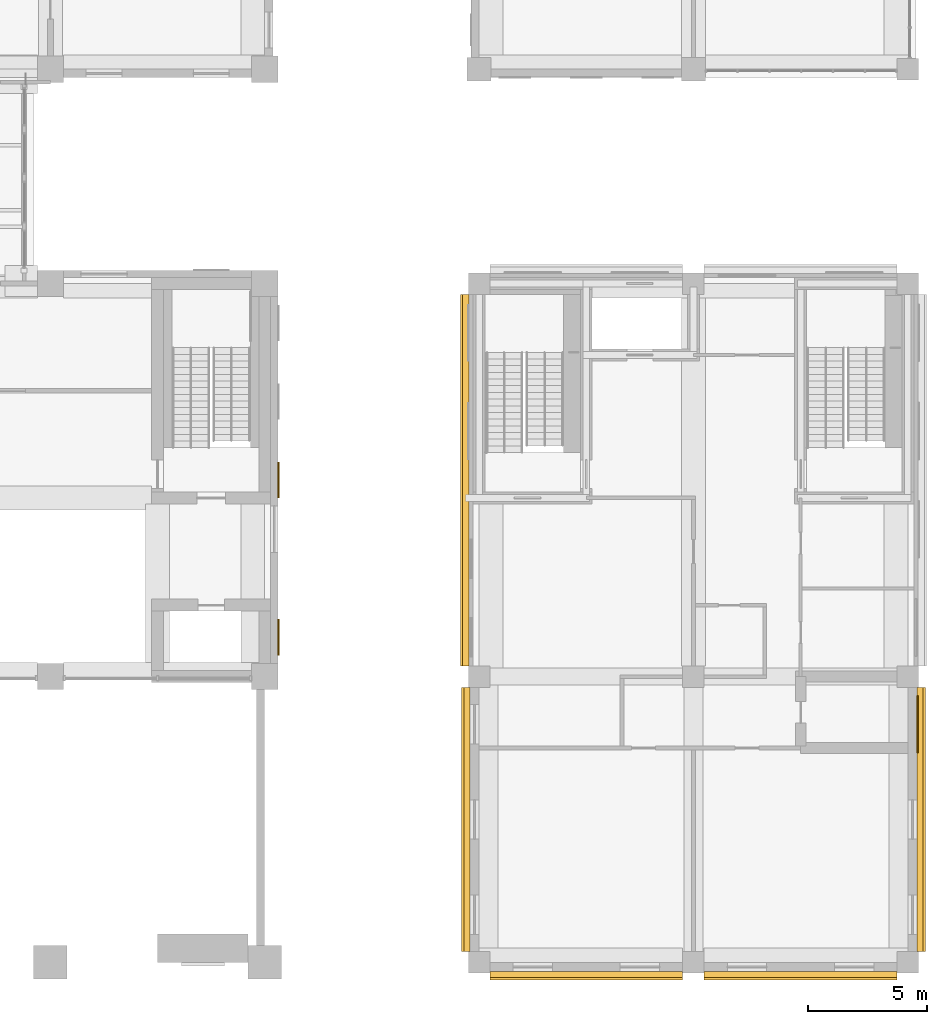
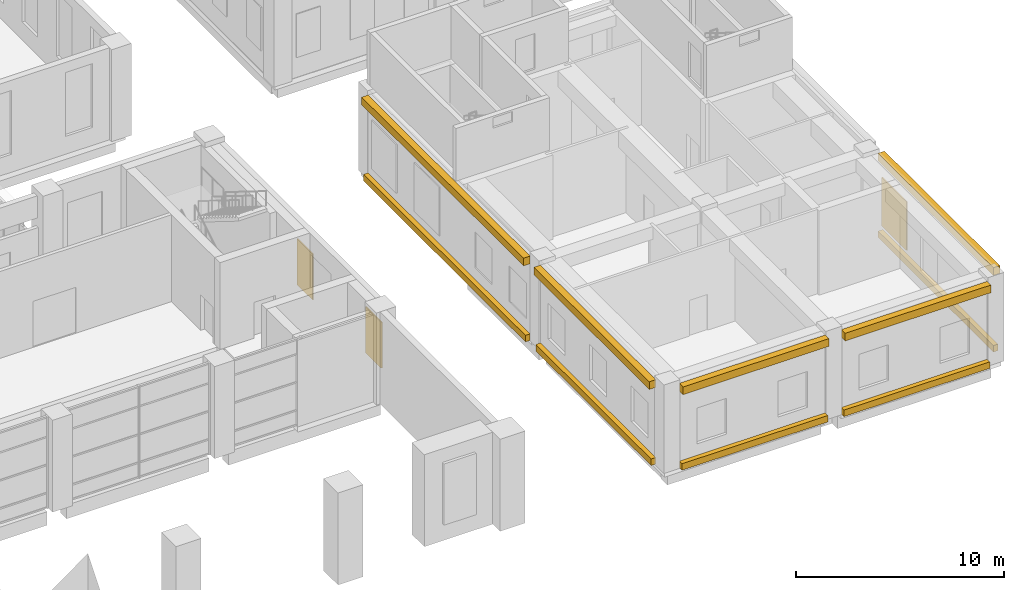
# One storey, part 47 of 52: 13 coverings.
"""IFC4 building model written with IfcOpenShell, lengths in metres."""

from ifc_helpers import new_model, si_unit, direction, frame, origin, origin_2d, place, context, subcontext, project, spatial, rectangle, extrude, material, layer, layer_set, type_object, element, save


model = new_model("IFC4")

# Units and contexts
model_context = context("Model", 3, precision=1e-05, world=origin(), true_north=direction((0.0, 1.0)))
body_context = subcontext(model_context, "Body", "Model", "MODEL_VIEW")
ifc_project = project(units=[si_unit("LENGTHUNIT", "METRE"), si_unit("AREAUNIT", "SQUARE_METRE"), si_unit("VOLUMEUNIT", "CUBIC_METRE"), si_unit("PLANEANGLEUNIT", "RADIAN"), si_unit("MASSUNIT", "GRAM", prefix="KILO")], contexts=[model_context])

# Site, building, storey
site_placement = place(None, origin())
site = spatial("IfcSite", under=ifc_project, at=site_placement, CompositionType="ELEMENT")
building_placement = place(site_placement, origin())
building = spatial("IfcBuilding", under=site, at=building_placement, Name="Aurelan Courthouse", CompositionType="ELEMENT")
storey_placement = place(building_placement, frame((0.0, 0.0, 6.60009765625)))
storey = spatial("IfcBuildingStorey", under=building, at=storey_placement, Name="L01", CompositionType="ELEMENT", Elevation=6.60009765625)

# Coverings
ifc_material_1 = material(Name="Bronze sheet cladding")
ifc_layer_1 = layer(ifc_material_1, 0.06005859375)
ifc_layer_set_1 = layer_set([ifc_layer_1], Name="Bronze sheet cladding")
covering_type_1 = type_object("IfcCoveringType", Name="Ceremonial Court blind bay 1500 x 2700", PredefinedType="CLADDING", material=ifc_layer_set_1)
for number, where, z_axis, x_axis, name in (
    (1, (63.580078125, 13.64990234375, 0.89990234375), (0.0, 0.0, 1.0), (1.0, 0.0, 0.0), "Blind bay BB-V1-L01-003"),
    (2, (63.580078125, 20.25, 0.89990234375), (0.0, 0.0, 1.0), (1.0, 0.0, 0.0), "Blind bay BB-V1-L01-004"),
):
    element("IfcCovering", number, at=place(storey_placement, frame(where, z_axis=z_axis, x_axis=x_axis)), inside=storey, type_object=covering_type_1, Name=name, PredefinedType="CLADDING", context=body_context, shape_type="SweptSolid", body=[
        extrude(rectangle(XDim=0.06005859375, YDim=1.5, at=origin_2d()), origin(), (0.0, 0.0, 1.0), 2.699951171875),
    ])
ifc_layer_2 = layer(ifc_material_1, 0.06005859375)
ifc_layer_set_2 = layer_set([ifc_layer_2], Name="Bronze sheet cladding")
covering_type_2 = type_object("IfcCoveringType", Name="Public Hall and Registry blind bay 2400 x 2850", PredefinedType="CLADDING", material=ifc_layer_set_2)
covering_1_placement = place(storey_placement, frame((90.409912109375, 10.0, 0.89990234375), z_axis=(0.0, 0.0, 1.0), x_axis=(1.0, 0.0, 0.0)))
element("IfcCovering", 3, at=covering_1_placement, inside=storey, type_object=covering_type_2, Name="Blind bay BB-V4-L01-004", PredefinedType="CLADDING", context=body_context, shape_type="SweptSolid", body=[
    extrude(rectangle(XDim=0.06005859375, YDim=2.39990234375, at=origin_2d()), origin(), (0.0, 0.0, 1.0), 2.85009765625),
])
ifc_material_2 = material(Name="Limestone cladding", Category="masonry")
covering_type_3 = type_object("IfcCoveringType", Name="Public Hall and Registry cornice 450 x 360", PredefinedType="CLADDING", material=ifc_material_2)
for number, where, z_axis, x_axis, name in (
    (4, (76.5, -0.56005859375, 4.501953125), (0.0, 0.0, 1.0), (1.0, 0.0, 0.0), "Cornice CRN-V4-001"),
    (5, (85.5, -0.56005859375, 4.501953125), (0.0, 0.0, 1.0), (1.0, 0.0, 0.0), "Cornice CRN-V4-002"),
):
    element("IfcCovering", number, at=place(storey_placement, frame(where, z_axis=z_axis, x_axis=x_axis)), inside=storey, type_object=covering_type_3, Name=name, PredefinedType="CLADDING", context=body_context, shape_type="SweptSolid", body=[
        extrude(rectangle(XDim=8.10009765625, YDim=0.360107421875, at=origin_2d()), origin(), (0.0, 0.0, 1.0), 0.449951171875),
    ])
for number, where, z_axis, x_axis, name in (
    (6, (71.43994140625, 6.0, 4.501953125), (0.0, 0.0, 1.0), (1.0, 0.0, 0.0), "Cornice CRN-V4-003"),
    (7, (90.56005859375, 6.0, 4.501953125), (0.0, 0.0, 1.0), (1.0, 0.0, 0.0), "Cornice CRN-V4-004"),
):
    element("IfcCovering", number, at=place(storey_placement, frame(where, z_axis=z_axis, x_axis=x_axis)), inside=storey, type_object=covering_type_3, Name=name, PredefinedType="CLADDING", context=body_context, shape_type="SweptSolid", body=[
        extrude(rectangle(XDim=0.360107421875, YDim=11.10009765625, at=origin_2d()), origin(), (0.0, 0.0, 1.0), 0.449951171875),
    ])
covering_2_placement = place(storey_placement, frame((71.389892578125, 20.25, 4.501953125), z_axis=(0.0, 0.0, 1.0), x_axis=(1.0, 0.0, 0.0)))
element("IfcCovering", 8, at=covering_2_placement, inside=storey, type_object=covering_type_3, Name="Cornice CRN-V4-005", PredefinedType="CLADDING", context=body_context, shape_type="SweptSolid", body=[
    extrude(rectangle(XDim=0.360107421875, YDim=15.60009765625, at=origin_2d()), origin(), (0.0, 0.0, 1.0), 0.449951171875),
])
covering_type_4 = type_object("IfcCoveringType", Name="Public Hall and Registry string course 380 x 260", PredefinedType="CLADDING", material=ifc_material_2)
for number, where, z_axis, x_axis, name in (
    (9, (76.5, -0.510009765625, 0.0), (0.0, 0.0, 1.0), (1.0, 0.0, 0.0), "String course SC-V4-001"),
    (10, (85.5, -0.510009765625, 0.0), (0.0, 0.0, 1.0), (1.0, 0.0, 0.0), "String course SC-V4-002"),
):
    element("IfcCovering", number, at=place(storey_placement, frame(where, z_axis=z_axis, x_axis=x_axis)), inside=storey, type_object=covering_type_4, Name=name, PredefinedType="CLADDING", context=body_context, shape_type="SweptSolid", body=[
        extrude(rectangle(XDim=8.10009765625, YDim=0.260009765625, at=origin_2d()), origin(), (0.0, 0.0, 1.0), 0.3798828125),
    ])
for number, where, z_axis, x_axis, name in (
    (11, (71.489990234375, 6.0, 0.0), (0.0, 0.0, 1.0), (1.0, 0.0, 0.0), "String course SC-V4-003"),
    (12, (90.510009765625, 6.0, 0.0), (0.0, 0.0, 1.0), (1.0, 0.0, 0.0), "String course SC-V4-004"),
):
    element("IfcCovering", number, at=place(storey_placement, frame(where, z_axis=z_axis, x_axis=x_axis)), inside=storey, type_object=covering_type_4, Name=name, PredefinedType="CLADDING", context=body_context, shape_type="SweptSolid", body=[
        extrude(rectangle(XDim=0.260009765625, YDim=11.10009765625, at=origin_2d()), origin(), (0.0, 0.0, 1.0), 0.3798828125),
    ])
covering_3_placement = place(storey_placement, frame((71.43994140625, 20.25, 0.0), z_axis=(0.0, 0.0, 1.0), x_axis=(1.0, 0.0, 0.0)))
element("IfcCovering", 13, at=covering_3_placement, inside=storey, type_object=covering_type_4, Name="String course SC-V4-005", PredefinedType="CLADDING", context=body_context, shape_type="SweptSolid", body=[
    extrude(rectangle(XDim=0.260009765625, YDim=15.60009765625, at=origin_2d()), origin(), (0.0, 0.0, 1.0), 0.3798828125),
])

save(model, "model.ifc")
